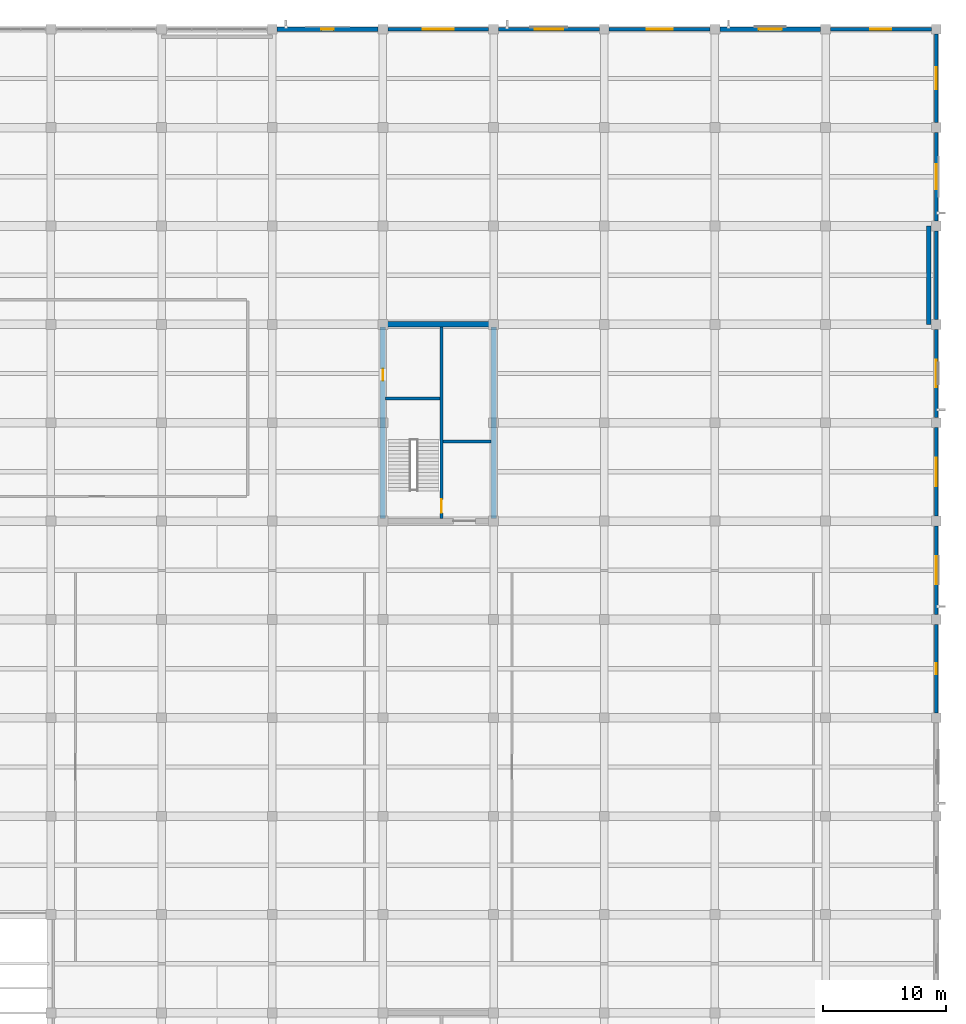
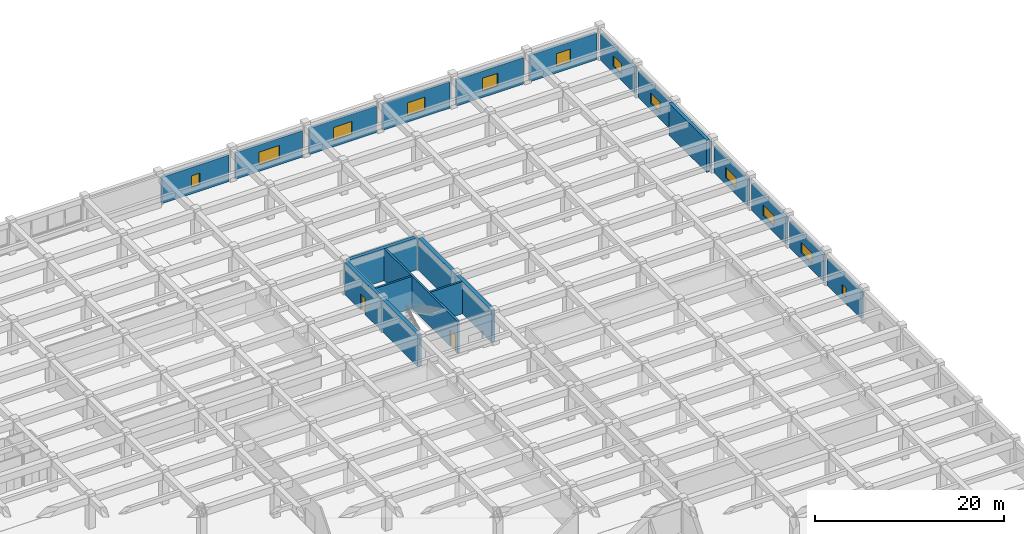
# One storey, part 34 of 50: 20 walls, 12 windows, 2 doors, 14 openings.
"""IFC4 building model written with IfcOpenShell, lengths in metres."""

from ifc_helpers import new_model, si_unit, direction, frame, frame_2d, origin, place, context, subcontext, project, spatial, rectangle, extrude, material, layer, layer_set, type_object, element, fill, save


model = new_model("IFC4")

# Units and contexts
model_context = context("Model", 3, precision=1e-05, world=origin(), true_north=direction((0.0, 1.0)))
body_context = subcontext(model_context, "Body", "Model", "MODEL_VIEW")
ifc_project = project(units=[si_unit("LENGTHUNIT", "METRE"), si_unit("AREAUNIT", "SQUARE_METRE"), si_unit("VOLUMEUNIT", "CUBIC_METRE"), si_unit("PLANEANGLEUNIT", "RADIAN"), si_unit("MASSUNIT", "GRAM", prefix="KILO")], contexts=[model_context])

# Site, building, storey
site_placement = place(None, origin())
site = spatial("IfcSite", under=ifc_project, at=site_placement, CompositionType="ELEMENT")
building_placement = place(site_placement, origin())
building = spatial("IfcBuilding", under=site, at=building_placement, Name="Zaverband Oceanarium and Marine Research Institute", CompositionType="ELEMENT")
storey_placement = place(building_placement, frame((0.0, 0.0, 9.0)))
storey = spatial("IfcBuildingStorey", under=building, at=storey_placement, Name="L02", CompositionType="ELEMENT", Elevation=9.0)

# Wall
ifc_material_1 = material(Name="Concrete C50/60", Category="concrete")
ifc_layer_1 = layer(ifc_material_1, 0.449951171875, Name="Concrete C50/60")
ifc_layer_set_1 = layer_set([ifc_layer_1], Name="Concrete C50/60")
wall_type_1 = type_object("IfcWallType", Name="CW-02", PredefinedType="SHEAR", material=ifc_layer_set_1)
wall_1_placement = place(storey_placement, frame((135.22509765625, 96.0, 0.0), z_axis=(0.0, 0.0, 1.0), x_axis=(1.0, 0.0, 0.0)))
element("IfcWall", 1, at=wall_1_placement, inside=storey, type_object=wall_type_1, Name="Structural shear wall CW-02", PredefinedType="SHEAR", context=body_context, shape_type="SweptSolid", body=[
    extrude(rectangle(XDim=8.5498046875, YDim=0.449951171875, at=frame_2d((4.27490234375, 0.0))), origin(), (0.0, 0.0, 1.0), 4.139892578125),
])

# Wall, opening, door
wall_2_placement = place(storey_placement, frame((135.0, 80.22509765625, 0.0), z_axis=(0.0, 0.0, 1.0), x_axis=(0.0, 1.0, 0.0)))
wall_2 = element("IfcWall", 2, at=wall_2_placement, inside=storey, type_object=wall_type_1, Name="Structural shear wall CW-02", PredefinedType="SHEAR", context=body_context, shape_type="SweptSolid", body=[
    extrude(rectangle(XDim=15.5498046875, YDim=0.449951171875, at=frame_2d((7.77490234375, 0.0))), origin(), (0.0, 0.0, 1.0), 4.139892578125),
])
opening_1_placement = place(wall_2_placement, frame((11.199951171875, 0.0, 0.0)))
opening_1 = element("IfcOpeningElement", 3, at=opening_1_placement, cuts=wall_2, Name="Opening FD-03", PredefinedType="OPENING", context=body_context, shape_type="SweptSolid", body=[
    extrude(rectangle(XDim=0.949951171875, YDim=2.10009765625, at=frame_2d((0.47509765625, 1.050048828125))), frame((0.0, 0.23681640625, 0.0), z_axis=(0.0, -1.0, 0.0), x_axis=(1.0, 0.0, 0.0)), (0.0, 0.0, 1.0), 0.473876953125),
])
ifc_material_2 = material(Name="Steel S355", Category="steel")
door_type_1 = type_object("IfcDoorType", Name="FD-03", OperationType="NOTDEFINED", PredefinedType="DOOR", material=ifc_material_2)
door_1_placement = place(opening_1_placement, origin())
door_1 = element("IfcDoor", 4, at=door_1_placement, inside=storey, type_object=door_type_1, Name="Service riser access fire door FD-03", OperationType="SINGLE_SWING_RIGHT", OverallHeight=2.10009765625, OverallWidth=0.949951171875, PredefinedType="DOOR", context=body_context, shape_type="SweptSolid", body=[
    extrude(rectangle(XDim=0.949951171875, YDim=2.10009765625, at=frame_2d((0.47509765625, 1.050048828125))), frame((0.0, 0.02490234375, 0.0), z_axis=(0.0, -1.0, 0.0), x_axis=(1.0, 0.0, 0.0)), (0.0, 0.0, 1.0), 0.050048828125),
])
fill(opening_1, door_1)

# Wall
wall_3_placement = place(storey_placement, frame((144.0, 80.22509765625, 0.0), z_axis=(0.0, 0.0, 1.0), x_axis=(0.0, 1.0, 0.0)))
element("IfcWall", 5, at=wall_3_placement, inside=storey, type_object=wall_type_1, Name="Structural shear wall CW-02", PredefinedType="SHEAR", context=body_context, shape_type="SweptSolid", body=[
    extrude(rectangle(XDim=15.5498046875, YDim=0.449951171875, at=frame_2d((7.77490234375, 0.0))), origin(), (0.0, 0.0, 1.0), 4.139892578125),
])

# Wall, opening, window
ifc_material_3 = material(Name="Concrete C40/50 precast", Category="concrete")
ifc_layer_2 = layer(ifc_material_3, 0.264892578125, Name="Concrete C40/50 precast")
ifc_layer_set_2 = layer_set([ifc_layer_2], Name="Concrete C40/50 precast")
wall_type_2 = type_object("IfcWallType", Name="EW-265", PredefinedType="STANDARD", material=ifc_layer_set_2)
wall_4_placement = place(storey_placement, frame((153.405029296875, 120.0, 0.0), z_axis=(0.0, 0.0, 1.0), x_axis=(1.0, 0.0, 0.0)))
wall_4 = element("IfcWall", 6, at=wall_4_placement, inside=storey, type_object=wall_type_2, Name="Exterior infill wall EW-265", PredefinedType="STANDARD", context=body_context, shape_type="SweptSolid", body=[
    extrude(rectangle(XDim=8.18994140625, YDim=0.264892578125, at=frame_2d((4.094970703125, 0.0))), origin(), (0.0, 0.0, 1.0), 3.419921875),
])
opening_2_placement = place(wall_4_placement, frame((3.044921875, 0.0, 0.85009765625)))
opening_2 = element("IfcOpeningElement", 7, at=opening_2_placement, cuts=wall_4, Name="Opening WN-2100x1650", PredefinedType="OPENING", context=body_context, shape_type="SweptSolid", body=[
    extrude(rectangle(XDim=2.10009765625, YDim=1.64990234375, at=frame_2d((1.050048828125, 0.824951171875))), frame((0.0, 0.14453125, 0.0), z_axis=(0.0, -1.0, 0.0), x_axis=(1.0, 0.0, 0.0)), (0.0, 0.0, 1.0), 0.288818359375),
])
ifc_material_4 = material(Name="Thermally broken anodized aluminium and solar-control glass", Category="aluminium")
window_type_1 = type_object("IfcWindowType", Name="WN-2100x1650", PartitioningType="SINGLE_PANEL", PredefinedType="WINDOW", material=ifc_material_4)
window_1_placement = place(opening_2_placement, origin())
window_1 = element("IfcWindow", 8, at=window_1_placement, inside=storey, type_object=window_type_1, Name="Fixed / casement exterior window WN-2100x1650", OverallHeight=1.64990234375, OverallWidth=2.10009765625, PartitioningType="SINGLE_PANEL", PredefinedType="WINDOW", context=body_context, shape_type="SweptSolid", body=[
    extrude(rectangle(XDim=2.10009765625, YDim=1.64990234375, at=frame_2d((1.050048828125, 0.824951171875))), frame((0.0, 0.030029296875, 0.0), z_axis=(0.0, -1.0, 0.0), x_axis=(1.0, 0.0, 0.0)), (0.0, 0.0, 1.0), 0.06005859375),
])
fill(opening_2, window_1)

wall_5_placement = place(storey_placement, frame((180.0, 72.405029296875, 0.0), z_axis=(0.0, 0.0, 1.0), x_axis=(0.0, 1.0, 0.0)))
wall_5 = element("IfcWall", 9, at=wall_5_placement, inside=storey, type_object=wall_type_2, Name="Exterior infill wall EW-265", PredefinedType="STANDARD", context=body_context, shape_type="SweptSolid", body=[
    extrude(rectangle(XDim=7.18994140625, YDim=0.264892578125, at=frame_2d((3.594970703125, 0.0))), origin(), (0.0, 0.0, 1.0), 3.419921875),
])
opening_3_placement = place(wall_5_placement, frame((2.445068359375, 0.0, 0.85009765625)))
opening_3 = element("IfcOpeningElement", 10, at=opening_3_placement, cuts=wall_5, Name="Opening WN-2300x1350", PredefinedType="OPENING", context=body_context, shape_type="SweptSolid", body=[
    extrude(rectangle(XDim=2.300048828125, YDim=1.35009765625, at=frame_2d((1.14990234375, 0.675048828125))), frame((0.0, 0.14453125, 0.0), z_axis=(0.0, -1.0, 0.0), x_axis=(1.0, 0.0, 0.0)), (0.0, 0.0, 1.0), 0.288818359375),
])
window_type_2 = type_object("IfcWindowType", Name="WN-2300x1350", PartitioningType="SINGLE_PANEL", PredefinedType="WINDOW", material=ifc_material_4)
window_2_placement = place(opening_3_placement, origin())
window_2 = element("IfcWindow", 11, at=window_2_placement, inside=storey, type_object=window_type_2, Name="Fixed / casement exterior window WN-2300x1350", OverallHeight=1.35009765625, OverallWidth=2.300048828125, PartitioningType="SINGLE_PANEL", PredefinedType="WINDOW", context=body_context, shape_type="SweptSolid", body=[
    extrude(rectangle(XDim=2.300048828125, YDim=1.35009765625, at=frame_2d((1.14990234375, 0.675048828125))), frame((0.0, 0.030029296875, 0.0), z_axis=(0.0, -1.0, 0.0), x_axis=(1.0, 0.0, 0.0)), (0.0, 0.0, 1.0), 0.06005859375),
])
fill(opening_3, window_2)

# Wall
wall_6_placement = place(storey_placement, frame((180.0, 96.405029296875, 0.0), z_axis=(0.0, 0.0, 1.0), x_axis=(0.0, 1.0, 0.0)))
element("IfcWall", 12, at=wall_6_placement, inside=storey, type_object=wall_type_2, Name="Exterior infill wall EW-265", PredefinedType="STANDARD", context=body_context, shape_type="SweptSolid", body=[
    extrude(rectangle(XDim=7.18994140625, YDim=0.264892578125, at=frame_2d((3.594970703125, 0.0))), origin(), (0.0, 0.0, 1.0), 3.419921875),
])

# Wall, opening, window
ifc_layer_3 = layer(ifc_material_3, 0.2900390625, Name="Concrete C40/50 precast")
ifc_layer_set_3 = layer_set([ifc_layer_3], Name="Concrete C40/50 precast")
wall_type_3 = type_object("IfcWallType", Name="EW-290", PredefinedType="STANDARD", material=ifc_layer_set_3)
wall_7_placement = place(storey_placement, frame((144.405029296875, 120.0, 0.0), z_axis=(0.0, 0.0, 1.0), x_axis=(1.0, 0.0, 0.0)))
wall_7 = element("IfcWall", 13, at=wall_7_placement, inside=storey, type_object=wall_type_3, Name="Exterior infill wall EW-290", PredefinedType="STANDARD", context=body_context, shape_type="SweptSolid", body=[
    extrude(rectangle(XDim=8.18994140625, YDim=0.2900390625, at=frame_2d((4.094970703125, 0.0))), origin(), (0.0, 0.0, 1.0), 3.419921875),
])
opening_4_placement = place(wall_7_placement, frame((2.945068359375, 0.0, 0.85009765625)))
opening_4 = element("IfcOpeningElement", 14, at=opening_4_placement, cuts=wall_7, Name="Opening WN-2300x1650", PredefinedType="OPENING", context=body_context, shape_type="SweptSolid", body=[
    extrude(rectangle(XDim=2.300048828125, YDim=1.64990234375, at=frame_2d((1.14990234375, 0.824951171875))), frame((0.0, 0.156982421875, 0.0), z_axis=(0.0, -1.0, 0.0), x_axis=(1.0, 0.0, 0.0)), (0.0, 0.0, 1.0), 0.31396484375),
])
window_type_3 = type_object("IfcWindowType", Name="WN-2300x1650", PartitioningType="SINGLE_PANEL", PredefinedType="WINDOW", material=ifc_material_4)
window_3_placement = place(opening_4_placement, origin())
window_3 = element("IfcWindow", 15, at=window_3_placement, inside=storey, type_object=window_type_3, Name="Fixed / casement exterior window WN-2300x1650", OverallHeight=1.64990234375, OverallWidth=2.300048828125, PartitioningType="SINGLE_PANEL", PredefinedType="WINDOW", context=body_context, shape_type="SweptSolid", body=[
    extrude(rectangle(XDim=2.300048828125, YDim=1.64990234375, at=frame_2d((1.14990234375, 0.824951171875))), frame((0.0, 0.030029296875, 0.0), z_axis=(0.0, -1.0, 0.0), x_axis=(1.0, 0.0, 0.0)), (0.0, 0.0, 1.0), 0.06005859375),
])
fill(opening_4, window_3)

wall_8_placement = place(storey_placement, frame((180.0, 64.405029296875, 0.0), z_axis=(0.0, 0.0, 1.0), x_axis=(0.0, 1.0, 0.0)))
wall_8 = element("IfcWall", 16, at=wall_8_placement, inside=storey, type_object=wall_type_3, Name="Exterior infill wall EW-290", PredefinedType="STANDARD", context=body_context, shape_type="SweptSolid", body=[
    extrude(rectangle(XDim=7.18994140625, YDim=0.2900390625, at=frame_2d((3.594970703125, 0.0))), origin(), (0.0, 0.0, 1.0), 3.419921875),
])
opening_5_placement = place(wall_8_placement, frame((3.14501953125, 0.0, 0.85009765625)))
opening_5 = element("IfcOpeningElement", 17, at=opening_5_placement, cuts=wall_8, Name="Opening WN-900x1200", PredefinedType="OPENING", context=body_context, shape_type="SweptSolid", body=[
    extrude(rectangle(XDim=0.89990234375, YDim=1.199951171875, at=frame_2d((0.449951171875, 0.60009765625))), frame((0.0, 0.156982421875, 0.0), z_axis=(0.0, -1.0, 0.0), x_axis=(1.0, 0.0, 0.0)), (0.0, 0.0, 1.0), 0.31396484375),
])
window_type_4 = type_object("IfcWindowType", Name="WN-900x1200", PartitioningType="SINGLE_PANEL", PredefinedType="WINDOW", material=ifc_material_4)
window_4_placement = place(opening_5_placement, origin())
window_4 = element("IfcWindow", 18, at=window_4_placement, inside=storey, type_object=window_type_4, Name="Fixed / casement exterior window WN-900x1200", OverallHeight=1.199951171875, OverallWidth=0.89990234375, PartitioningType="SINGLE_PANEL", PredefinedType="WINDOW", context=body_context, shape_type="SweptSolid", body=[
    extrude(rectangle(XDim=0.89990234375, YDim=1.199951171875, at=frame_2d((0.449951171875, 0.60009765625))), frame((0.0, 0.030029296875, 0.0), z_axis=(0.0, -1.0, 0.0), x_axis=(1.0, 0.0, 0.0)), (0.0, 0.0, 1.0), 0.06005859375),
])
fill(opening_5, window_4)

wall_9_placement = place(storey_placement, frame((180.0, 88.405029296875, 0.0), z_axis=(0.0, 0.0, 1.0), x_axis=(0.0, 1.0, 0.0)))
wall_9 = element("IfcWall", 19, at=wall_9_placement, inside=storey, type_object=wall_type_3, Name="Exterior infill wall EW-290", PredefinedType="STANDARD", context=body_context, shape_type="SweptSolid", body=[
    extrude(rectangle(XDim=7.18994140625, YDim=0.2900390625, at=frame_2d((3.594970703125, 0.0))), origin(), (0.0, 0.0, 1.0), 3.419921875),
])
opening_6_placement = place(wall_9_placement, frame((2.4951171875, 0.0, 0.85009765625)))
opening_6 = element("IfcOpeningElement", 20, at=opening_6_placement, cuts=wall_9, Name="Opening WN-2200x1350", PredefinedType="OPENING", context=body_context, shape_type="SweptSolid", body=[
    extrude(rectangle(XDim=2.199951171875, YDim=1.35009765625, at=frame_2d((1.10009765625, 0.675048828125))), frame((0.0, 0.156982421875, 0.0), z_axis=(0.0, -1.0, 0.0), x_axis=(1.0, 0.0, 0.0)), (0.0, 0.0, 1.0), 0.31396484375),
])
window_type_5 = type_object("IfcWindowType", Name="WN-2200x1350", PartitioningType="SINGLE_PANEL", PredefinedType="WINDOW", material=ifc_material_4)
window_5_placement = place(opening_6_placement, origin())
window_5 = element("IfcWindow", 21, at=window_5_placement, inside=storey, type_object=window_type_5, Name="Fixed / casement exterior window WN-2200x1350", OverallHeight=1.35009765625, OverallWidth=2.199951171875, PartitioningType="SINGLE_PANEL", PredefinedType="WINDOW", context=body_context, shape_type="SweptSolid", body=[
    extrude(rectangle(XDim=2.199951171875, YDim=1.35009765625, at=frame_2d((1.10009765625, 0.675048828125))), frame((0.0, 0.030029296875, 0.0), z_axis=(0.0, -1.0, 0.0), x_axis=(1.0, 0.0, 0.0)), (0.0, 0.0, 1.0), 0.06005859375),
])
fill(opening_6, window_5)

wall_10_placement = place(storey_placement, frame((180.0, 112.405029296875, 0.0), z_axis=(0.0, 0.0, 1.0), x_axis=(0.0, 1.0, 0.0)))
wall_10 = element("IfcWall", 22, at=wall_10_placement, inside=storey, type_object=wall_type_3, Name="Exterior infill wall EW-290", PredefinedType="STANDARD", context=body_context, shape_type="SweptSolid", body=[
    extrude(rectangle(XDim=7.18994140625, YDim=0.2900390625, at=frame_2d((3.594970703125, 0.0))), origin(), (0.0, 0.0, 1.0), 3.419921875),
])
opening_7_placement = place(wall_10_placement, frame((2.695068359375, 0.0, 0.85009765625)))
opening_7 = element("IfcOpeningElement", 23, at=opening_7_placement, cuts=wall_10, Name="Opening WN-1800x1350", PredefinedType="OPENING", context=body_context, shape_type="SweptSolid", body=[
    extrude(rectangle(XDim=1.800048828125, YDim=1.35009765625, at=frame_2d((0.89990234375, 0.675048828125))), frame((0.0, 0.156982421875, 0.0), z_axis=(0.0, -1.0, 0.0), x_axis=(1.0, 0.0, 0.0)), (0.0, 0.0, 1.0), 0.31396484375),
])
window_type_6 = type_object("IfcWindowType", Name="WN-1800x1350", PartitioningType="SINGLE_PANEL", PredefinedType="WINDOW", material=ifc_material_4)
window_6_placement = place(opening_7_placement, origin())
window_6 = element("IfcWindow", 24, at=window_6_placement, inside=storey, type_object=window_type_6, Name="Fixed / casement exterior window WN-1800x1350", OverallHeight=1.35009765625, OverallWidth=1.800048828125, PartitioningType="SINGLE_PANEL", PredefinedType="WINDOW", context=body_context, shape_type="SweptSolid", body=[
    extrude(rectangle(XDim=1.800048828125, YDim=1.35009765625, at=frame_2d((0.89990234375, 0.675048828125))), frame((0.0, 0.030029296875, 0.0), z_axis=(0.0, -1.0, 0.0), x_axis=(1.0, 0.0, 0.0)), (0.0, 0.0, 1.0), 0.06005859375),
])
fill(opening_7, window_6)

ifc_layer_4 = layer(ifc_material_3, 0.31005859375, Name="Concrete C40/50 precast")
ifc_layer_set_4 = layer_set([ifc_layer_4], Name="Concrete C40/50 precast")
wall_type_4 = type_object("IfcWallType", Name="EW-310", PredefinedType="STANDARD", material=ifc_layer_set_4)
wall_11_placement = place(storey_placement, frame((135.405029296875, 120.0, 0.0), z_axis=(0.0, 0.0, 1.0), x_axis=(1.0, 0.0, 0.0)))
wall_11 = element("IfcWall", 25, at=wall_11_placement, inside=storey, type_object=wall_type_4, Name="Exterior infill wall EW-310", PredefinedType="STANDARD", context=body_context, shape_type="SweptSolid", body=[
    extrude(rectangle(XDim=8.18994140625, YDim=0.31005859375, at=frame_2d((4.094970703125, 0.0))), origin(), (0.0, 0.0, 1.0), 3.419921875),
])
opening_8_placement = place(wall_11_placement, frame((2.844970703125, 0.0, 0.85009765625)))
opening_8 = element("IfcOpeningElement", 26, at=opening_8_placement, cuts=wall_11, Name="Opening WN-2500x1650", PredefinedType="OPENING", context=body_context, shape_type="SweptSolid", body=[
    extrude(rectangle(XDim=2.5, YDim=1.64990234375, at=frame_2d((1.25, 0.824951171875))), frame((0.0, 0.1669921875, 0.0), z_axis=(0.0, -1.0, 0.0), x_axis=(1.0, 0.0, 0.0)), (0.0, 0.0, 1.0), 0.333984375),
])
window_type_7 = type_object("IfcWindowType", Name="WN-2500x1650", PartitioningType="SINGLE_PANEL", PredefinedType="WINDOW", material=ifc_material_4)
window_7_placement = place(opening_8_placement, origin())
window_7 = element("IfcWindow", 27, at=window_7_placement, inside=storey, type_object=window_type_7, Name="Fixed / casement exterior window WN-2500x1650", OverallHeight=1.64990234375, OverallWidth=2.5, PartitioningType="SINGLE_PANEL", PredefinedType="WINDOW", context=body_context, shape_type="SweptSolid", body=[
    extrude(rectangle(XDim=2.5, YDim=1.64990234375, at=frame_2d((1.25, 0.824951171875))), frame((0.0, 0.030029296875, 0.0), z_axis=(0.0, -1.0, 0.0), x_axis=(1.0, 0.0, 0.0)), (0.0, 0.0, 1.0), 0.06005859375),
])
fill(opening_8, window_7)

wall_12_placement = place(storey_placement, frame((171.405029296875, 120.0, 0.0), z_axis=(0.0, 0.0, 1.0), x_axis=(1.0, 0.0, 0.0)))
wall_12 = element("IfcWall", 28, at=wall_12_placement, inside=storey, type_object=wall_type_4, Name="Exterior infill wall EW-310", PredefinedType="STANDARD", context=body_context, shape_type="SweptSolid", body=[
    extrude(rectangle(XDim=8.18994140625, YDim=0.31005859375, at=frame_2d((4.094970703125, 0.0))), origin(), (0.0, 0.0, 1.0), 3.419921875),
])
opening_9_placement = place(wall_12_placement, frame((3.2451171875, 0.0, 0.85009765625)))
opening_9 = element("IfcOpeningElement", 29, at=opening_9_placement, cuts=wall_12, Name="Opening WN-1700x1650", PredefinedType="OPENING", context=body_context, shape_type="SweptSolid", body=[
    extrude(rectangle(XDim=1.699951171875, YDim=1.64990234375, at=frame_2d((0.85009765625, 0.824951171875))), frame((0.0, 0.1669921875, 0.0), z_axis=(0.0, -1.0, 0.0), x_axis=(1.0, 0.0, 0.0)), (0.0, 0.0, 1.0), 0.333984375),
])
window_type_8 = type_object("IfcWindowType", Name="WN-1700x1650", PartitioningType="SINGLE_PANEL", PredefinedType="WINDOW", material=ifc_material_4)
window_8_placement = place(opening_9_placement, origin())
window_8 = element("IfcWindow", 30, at=window_8_placement, inside=storey, type_object=window_type_8, Name="Fixed / casement exterior window WN-1700x1650", OverallHeight=1.64990234375, OverallWidth=1.699951171875, PartitioningType="SINGLE_PANEL", PredefinedType="WINDOW", context=body_context, shape_type="SweptSolid", body=[
    extrude(rectangle(XDim=1.699951171875, YDim=1.64990234375, at=frame_2d((0.85009765625, 0.824951171875))), frame((0.0, 0.030029296875, 0.0), z_axis=(0.0, -1.0, 0.0), x_axis=(1.0, 0.0, 0.0)), (0.0, 0.0, 1.0), 0.06005859375),
])
fill(opening_9, window_8)

wall_13_placement = place(storey_placement, frame((180.0, 80.405029296875, 0.0), z_axis=(0.0, 0.0, 1.0), x_axis=(0.0, 1.0, 0.0)))
wall_13 = element("IfcWall", 31, at=wall_13_placement, inside=storey, type_object=wall_type_4, Name="Exterior infill wall EW-310", PredefinedType="STANDARD", context=body_context, shape_type="SweptSolid", body=[
    extrude(rectangle(XDim=7.18994140625, YDim=0.31005859375, at=frame_2d((3.594970703125, 0.0))), origin(), (0.0, 0.0, 1.0), 3.419921875),
])
opening_10_placement = place(wall_13_placement, frame((2.445068359375, 0.0, 0.85009765625)))
opening_10 = element("IfcOpeningElement", 32, at=opening_10_placement, cuts=wall_13, Name="Opening WN-2300x1350", PredefinedType="OPENING", context=body_context, shape_type="SweptSolid", body=[
    extrude(rectangle(XDim=2.300048828125, YDim=1.35009765625, at=frame_2d((1.14990234375, 0.675048828125))), frame((0.0, 0.1669921875, 0.0), z_axis=(0.0, -1.0, 0.0), x_axis=(1.0, 0.0, 0.0)), (0.0, 0.0, 1.0), 0.333984375),
])
window_9_placement = place(opening_10_placement, origin())
window_9 = element("IfcWindow", 33, at=window_9_placement, inside=storey, type_object=window_type_2, Name="Fixed / casement exterior window WN-2300x1350", OverallHeight=1.35009765625, OverallWidth=2.300048828125, PartitioningType="SINGLE_PANEL", PredefinedType="WINDOW", context=body_context, shape_type="SweptSolid", body=[
    extrude(rectangle(XDim=2.300048828125, YDim=1.35009765625, at=frame_2d((1.14990234375, 0.675048828125))), frame((0.0, 0.030029296875, 0.0), z_axis=(0.0, -1.0, 0.0), x_axis=(1.0, 0.0, 0.0)), (0.0, 0.0, 1.0), 0.06005859375),
])
fill(opening_10, window_9)

wall_14_placement = place(storey_placement, frame((180.0, 104.405029296875, 0.0), z_axis=(0.0, 0.0, 1.0), x_axis=(0.0, 1.0, 0.0)))
wall_14 = element("IfcWall", 34, at=wall_14_placement, inside=storey, type_object=wall_type_4, Name="Exterior infill wall EW-310", PredefinedType="STANDARD", context=body_context, shape_type="SweptSolid", body=[
    extrude(rectangle(XDim=7.18994140625, YDim=0.31005859375, at=frame_2d((3.594970703125, 0.0))), origin(), (0.0, 0.0, 1.0), 3.419921875),
])
opening_11_placement = place(wall_14_placement, frame((2.594970703125, 0.0, 0.85009765625)))
opening_11 = element("IfcOpeningElement", 35, at=opening_11_placement, cuts=wall_14, Name="Opening WN-2000x1350", PredefinedType="OPENING", context=body_context, shape_type="SweptSolid", body=[
    extrude(rectangle(XDim=2.0, YDim=1.35009765625, at=frame_2d((1.0, 0.675048828125))), frame((0.0, 0.1669921875, 0.0), z_axis=(0.0, -1.0, 0.0), x_axis=(1.0, 0.0, 0.0)), (0.0, 0.0, 1.0), 0.333984375),
])
window_type_9 = type_object("IfcWindowType", Name="WN-2000x1350", PartitioningType="SINGLE_PANEL", PredefinedType="WINDOW", material=ifc_material_4)
window_10_placement = place(opening_11_placement, origin())
window_10 = element("IfcWindow", 36, at=window_10_placement, inside=storey, type_object=window_type_9, Name="Fixed / casement exterior window WN-2000x1350", OverallHeight=1.35009765625, OverallWidth=2.0, PartitioningType="SINGLE_PANEL", PredefinedType="WINDOW", context=body_context, shape_type="SweptSolid", body=[
    extrude(rectangle(XDim=2.0, YDim=1.35009765625, at=frame_2d((1.0, 0.675048828125))), frame((0.0, 0.030029296875, 0.0), z_axis=(0.0, -1.0, 0.0), x_axis=(1.0, 0.0, 0.0)), (0.0, 0.0, 1.0), 0.06005859375),
])
fill(opening_11, window_10)

ifc_layer_5 = layer(ifc_material_3, 0.340087890625, Name="Concrete C40/50 precast")
ifc_layer_set_5 = layer_set([ifc_layer_5], Name="Concrete C40/50 precast")
wall_type_5 = type_object("IfcWallType", Name="EW-340", PredefinedType="STANDARD", material=ifc_layer_set_5)
wall_15_placement = place(storey_placement, frame((126.405029296875, 120.0, 0.0), z_axis=(0.0, 0.0, 1.0), x_axis=(1.0, 0.0, 0.0)))
wall_15 = element("IfcWall", 37, at=wall_15_placement, inside=storey, type_object=wall_type_5, Name="Exterior infill wall EW-340", PredefinedType="STANDARD", context=body_context, shape_type="SweptSolid", body=[
    extrude(rectangle(XDim=8.18994140625, YDim=0.340087890625, at=frame_2d((4.094970703125, 0.0))), origin(), (0.0, 0.0, 1.0), 3.419921875),
])
opening_12_placement = place(wall_15_placement, frame((3.594970703125, 0.0, 0.85009765625)))
opening_12 = element("IfcOpeningElement", 38, at=opening_12_placement, cuts=wall_15, Name="Opening WN-1000x1500", PredefinedType="OPENING", context=body_context, shape_type="SweptSolid", body=[
    extrude(rectangle(XDim=1.0, YDim=1.5, at=frame_2d((0.5, 0.75))), frame((0.0, 0.18212890625, 0.0), z_axis=(0.0, -1.0, 0.0), x_axis=(1.0, 0.0, 0.0)), (0.0, 0.0, 1.0), 0.364013671875),
])
window_type_10 = type_object("IfcWindowType", Name="WN-1000x1500", PartitioningType="SINGLE_PANEL", PredefinedType="WINDOW", material=ifc_material_4)
window_11_placement = place(opening_12_placement, origin())
window_11 = element("IfcWindow", 39, at=window_11_placement, inside=storey, type_object=window_type_10, Name="Fixed / casement exterior window WN-1000x1500", OverallHeight=1.5, OverallWidth=1.0, PartitioningType="SINGLE_PANEL", PredefinedType="WINDOW", context=body_context, shape_type="SweptSolid", body=[
    extrude(rectangle(XDim=1.0, YDim=1.5, at=frame_2d((0.5, 0.75))), frame((0.0, 0.030029296875, 0.0), z_axis=(0.0, -1.0, 0.0), x_axis=(1.0, 0.0, 0.0)), (0.0, 0.0, 1.0), 0.06005859375),
])
fill(opening_12, window_11)

wall_16_placement = place(storey_placement, frame((162.405029296875, 120.0, 0.0), z_axis=(0.0, 0.0, 1.0), x_axis=(1.0, 0.0, 0.0)))
wall_16 = element("IfcWall", 40, at=wall_16_placement, inside=storey, type_object=wall_type_5, Name="Exterior infill wall EW-340", PredefinedType="STANDARD", context=body_context, shape_type="SweptSolid", body=[
    extrude(rectangle(XDim=8.18994140625, YDim=0.340087890625, at=frame_2d((4.094970703125, 0.0))), origin(), (0.0, 0.0, 1.0), 3.419921875),
])
opening_13_placement = place(wall_16_placement, frame((3.14501953125, 0.0, 0.85009765625)))
opening_13 = element("IfcOpeningElement", 41, at=opening_13_placement, cuts=wall_16, Name="Opening WN-1900x1650", PredefinedType="OPENING", context=body_context, shape_type="SweptSolid", body=[
    extrude(rectangle(XDim=1.89990234375, YDim=1.64990234375, at=frame_2d((0.949951171875, 0.824951171875))), frame((0.0, 0.18212890625, 0.0), z_axis=(0.0, -1.0, 0.0), x_axis=(1.0, 0.0, 0.0)), (0.0, 0.0, 1.0), 0.364013671875),
])
window_type_11 = type_object("IfcWindowType", Name="WN-1900x1650", PartitioningType="SINGLE_PANEL", PredefinedType="WINDOW", material=ifc_material_4)
window_12_placement = place(opening_13_placement, origin())
window_12 = element("IfcWindow", 42, at=window_12_placement, inside=storey, type_object=window_type_11, Name="Fixed / casement exterior window WN-1900x1650", OverallHeight=1.64990234375, OverallWidth=1.89990234375, PartitioningType="SINGLE_PANEL", PredefinedType="WINDOW", context=body_context, shape_type="SweptSolid", body=[
    extrude(rectangle(XDim=1.89990234375, YDim=1.64990234375, at=frame_2d((0.949951171875, 0.824951171875))), frame((0.0, 0.030029296875, 0.0), z_axis=(0.0, -1.0, 0.0), x_axis=(1.0, 0.0, 0.0)), (0.0, 0.0, 1.0), 0.06005859375),
])
fill(opening_13, window_12)

# Wall, opening, door
ifc_layer_6 = layer(ifc_material_1, 0.25, Name="Concrete C50/60")
ifc_layer_set_6 = layer_set([ifc_layer_6], Name="Concrete C50/60")
wall_type_6 = type_object("IfcWallType", Name="PW-CORE-250", PredefinedType="SOLIDWALL", material=ifc_layer_set_6)
wall_17_placement = place(storey_placement, frame((139.77490234375, 80.22509765625, 0.0), z_axis=(0.0, 0.0, 1.0), x_axis=(0.0, 1.0, 0.0)))
wall_17 = element("IfcWall", 43, at=wall_17_placement, inside=storey, type_object=wall_type_6, Name="Structural concrete wall PW-CORE-250", PredefinedType="SOLIDWALL", context=body_context, shape_type="SweptSolid", body=[
    extrude(rectangle(XDim=15.5498046875, YDim=0.25, at=frame_2d((7.77490234375, 0.0))), origin(), (0.0, 0.0, 1.0), 4.139892578125),
])
opening_14_placement = place(wall_17_placement, frame((0.449951171875, 0.0, 0.0)))
opening_14 = element("IfcOpeningElement", 44, at=opening_14_placement, cuts=wall_17, Name="Opening FD-01", PredefinedType="OPENING", context=body_context, shape_type="SweptSolid", body=[
    extrude(rectangle(XDim=1.10009765625, YDim=2.14990234375, at=frame_2d((0.550048828125, 1.074951171875))), frame((0.0, 0.136962890625, 0.0), z_axis=(0.0, -1.0, 0.0), x_axis=(1.0, 0.0, 0.0)), (0.0, 0.0, 1.0), 0.27392578125),
])
door_type_2 = type_object("IfcDoorType", Name="FD-01", OperationType="NOTDEFINED", PredefinedType="DOOR", material=ifc_material_2)
door_2_placement = place(opening_14_placement, origin())
door_2 = element("IfcDoor", 45, at=door_2_placement, inside=storey, type_object=door_type_2, Name="Core stair / lobby fire door FD-01", OperationType="SINGLE_SWING_LEFT", OverallHeight=2.14990234375, OverallWidth=1.10009765625, PredefinedType="DOOR", context=body_context, shape_type="SweptSolid", body=[
    extrude(rectangle(XDim=1.10009765625, YDim=2.14990234375, at=frame_2d((0.550048828125, 1.074951171875))), frame((0.0, 0.02490234375, 0.0), z_axis=(0.0, -1.0, 0.0), x_axis=(1.0, 0.0, 0.0)), (0.0, 0.0, 1.0), 0.050048828125),
])
fill(opening_14, door_2)

# Walls
wall_18_placement = place(storey_placement, frame((135.22509765625, 89.97509765625, 0.0), z_axis=(0.0, 0.0, 1.0), x_axis=(1.0, 0.0, 0.0)))
element("IfcWall", 46, at=wall_18_placement, inside=storey, type_object=wall_type_6, Name="Structural concrete wall PW-CORE-250", PredefinedType="SOLIDWALL", context=body_context, shape_type="SweptSolid", body=[
    extrude(rectangle(XDim=4.419921875, YDim=0.25, at=frame_2d((2.2099609375, 0.0))), origin(), (0.0, 0.0, 1.0), 4.139892578125),
])
wall_19_placement = place(storey_placement, frame((139.905029296875, 86.47509765625, 0.0), z_axis=(0.0, 0.0, 1.0), x_axis=(1.0, 0.0, 0.0)))
element("IfcWall", 47, at=wall_19_placement, inside=storey, type_object=wall_type_6, Name="Structural concrete wall PW-CORE-250", PredefinedType="SOLIDWALL", context=body_context, shape_type="SweptSolid", body=[
    extrude(rectangle(XDim=3.869873046875, YDim=0.25, at=frame_2d((1.93505859375, 0.0))), origin(), (0.0, 0.0, 1.0), 4.139892578125),
])
ifc_layer_7 = layer(ifc_material_1, 0.3798828125, Name="Concrete C50/60")
ifc_layer_set_7 = layer_set([ifc_layer_7], Name="Concrete C50/60")
wall_type_7 = type_object("IfcWallType", Name="SW-02", PredefinedType="SHEAR", material=ifc_layer_set_7)
wall_20_placement = place(storey_placement, frame((179.39990234375, 96.0, 0.0), z_axis=(0.0, 0.0, 1.0), x_axis=(0.0, 1.0, 0.0)))
element("IfcWall", 48, at=wall_20_placement, inside=storey, type_object=wall_type_7, Name="Structural shear wall SW-02", PredefinedType="SHEAR", context=body_context, shape_type="SweptSolid", body=[
    extrude(rectangle(XDim=8.0, YDim=0.3798828125, at=frame_2d((4.0, 0.0))), origin(), (0.0, 0.0, 1.0), 4.139892578125),
])

save(model, "model.ifc")
